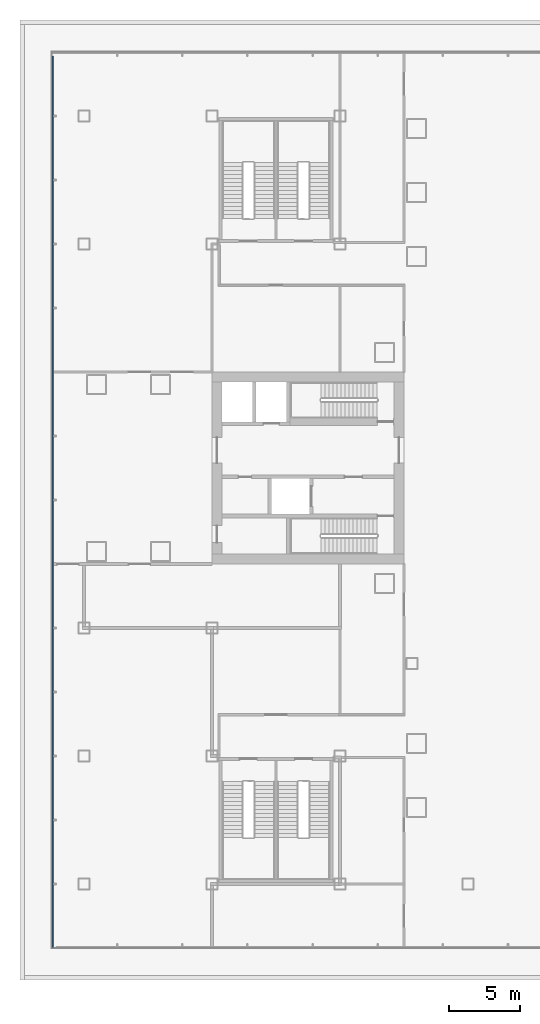
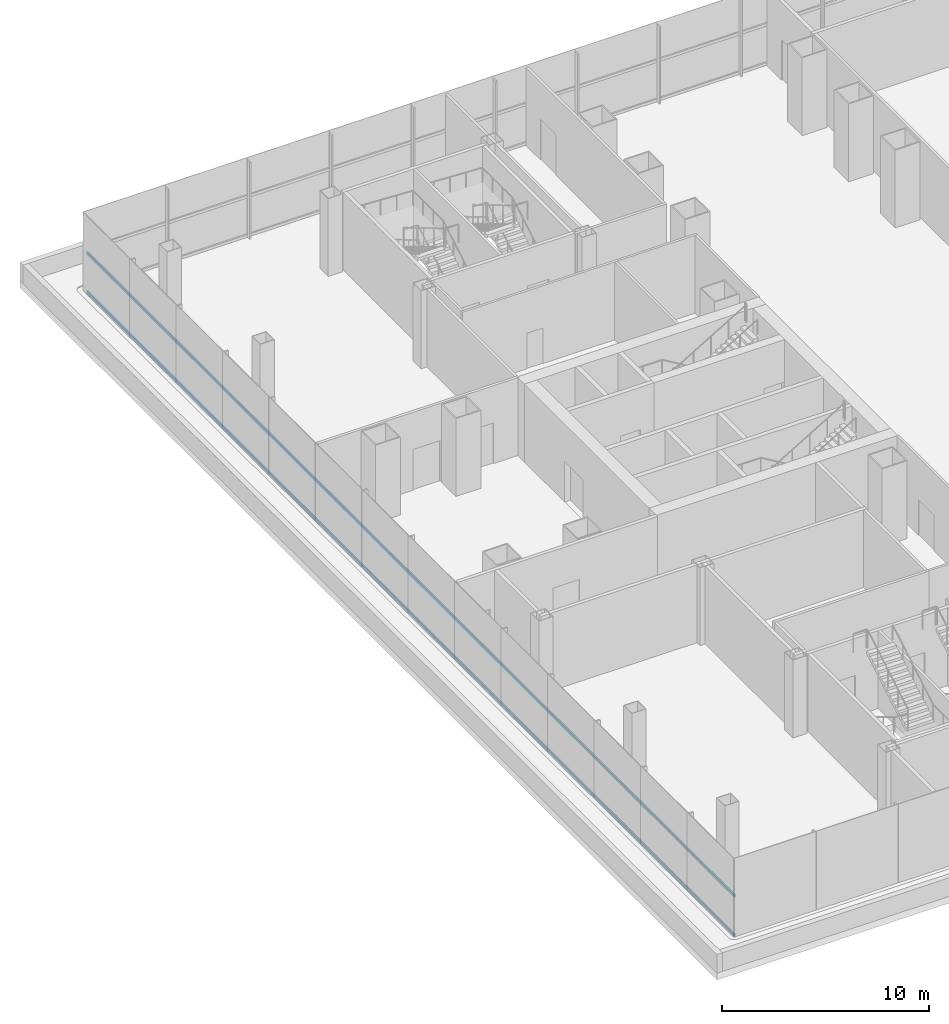
# One storey, part 5 of 33: 2 members, 1 element without a shape of its own.
"""IFC4 building model written with IfcOpenShell, lengths in metres."""

from ifc_helpers import new_model, si_unit, direction, frame, origin, origin_2d, place, context, subcontext, project, spatial, rectangle, extrude, material, layer, layer_set, material_profile, profile_set, type_object, element, aggregate, save


model = new_model("IFC4")

# Units and contexts
model_context = context("Model", 3, precision=1e-05, world=origin(), true_north=direction((0.0, 1.0)))
body_context = subcontext(model_context, "Body", "Model", "MODEL_VIEW")
ifc_project = project(units=[si_unit("LENGTHUNIT", "METRE"), si_unit("AREAUNIT", "SQUARE_METRE"), si_unit("VOLUMEUNIT", "CUBIC_METRE"), si_unit("PLANEANGLEUNIT", "RADIAN"), si_unit("MASSUNIT", "GRAM", prefix="KILO")], contexts=[model_context])

# Site, building, storey
site_placement = place(None, origin())
site = spatial("IfcSite", under=ifc_project, at=site_placement, CompositionType="ELEMENT")
building_placement = place(site_placement, origin())
building = spatial("IfcBuilding", under=site, at=building_placement, Name="Shamsa Quay Exchange Towers", CompositionType="ELEMENT")
storey_placement = place(building_placement, frame((0.0, 0.0, 18.5)))
storey = spatial("IfcBuildingStorey", under=building, at=storey_placement, Name="L03", CompositionType="ELEMENT", Elevation=18.5)

# Curtain wall, members
ifc_material = material(Name="Aluminium EN AW-6063 T6, black anodised", Category="aluminium")
ifc_layer = layer(ifc_material, 0.33203125)
ifc_layer_set = layer_set([ifc_layer], Name="CW-3 PODIUM SHOPFRONT GLAZING")
curtain_wall_type = type_object("IfcCurtainWallType", Name="CW-3 PODIUM SHOPFRONT GLAZING", PredefinedType="NOTDEFINED", material=ifc_layer_set)
curtain_wall_placement = place(storey_placement, origin())
curtain_wall = element("IfcCurtainWall", 1, at=curtain_wall_placement, inside=storey, type_object=curtain_wall_type, Name="CW3 PODIUM-L03-F02", PredefinedType="NOTDEFINED")
ifc_material_profile = material_profile(ifc_material, rectangle(XDim=0.080078125, YDim=0.159912109375, at=origin_2d()), Name="TR160x80")
ifc_profile_set = profile_set([ifc_material_profile], Name="Aluminium EN AW-6063 T6, black anodised")
member_type = type_object("IfcMemberType", Name="CW3 TRANSOM 160x80", PredefinedType="USERDEFINED", material=ifc_profile_set)
member_1_placement = place(storey_placement, frame((-65.2099609375, 28.947998046875, 0.080078125), z_axis=(0.0, -1.0, 0.0), x_axis=(1.0, 0.0, 0.0)))
member_1 = element("IfcMember", 2, at=member_1_placement, type_object=member_type, Name="CW3 transom", ObjectType="TRANSOM", PredefinedType="USERDEFINED", context=body_context, shape_type="SweptSolid", body=[
    extrude(rectangle(XDim=0.080078125, YDim=0.159912109375, at=origin_2d()), origin(), (0.0, 0.0, 1.0), 62.697998046875),
])
member_2_placement = place(storey_placement, frame((-65.2099609375, 28.947998046875, 2.405029296875), z_axis=(0.0, -1.0, 0.0), x_axis=(1.0, 0.0, 0.0)))
member_2 = element("IfcMember", 3, at=member_2_placement, type_object=member_type, Name="CW3 transom", ObjectType="TRANSOM", PredefinedType="USERDEFINED", context=body_context, shape_type="SweptSolid", body=[
    extrude(rectangle(XDim=0.080078125, YDim=0.159912109375, at=origin_2d()), origin(), (0.0, 0.0, 1.0), 62.697998046875),
])
aggregate(curtain_wall, [member_1, member_2])

save(model, "model.ifc")
